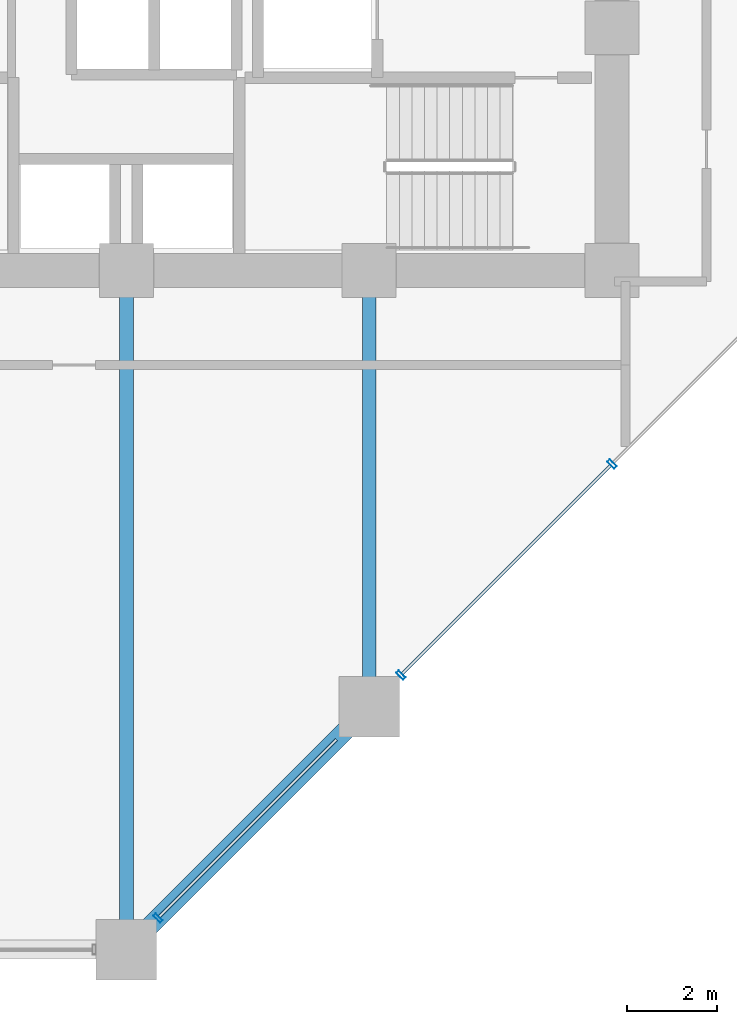
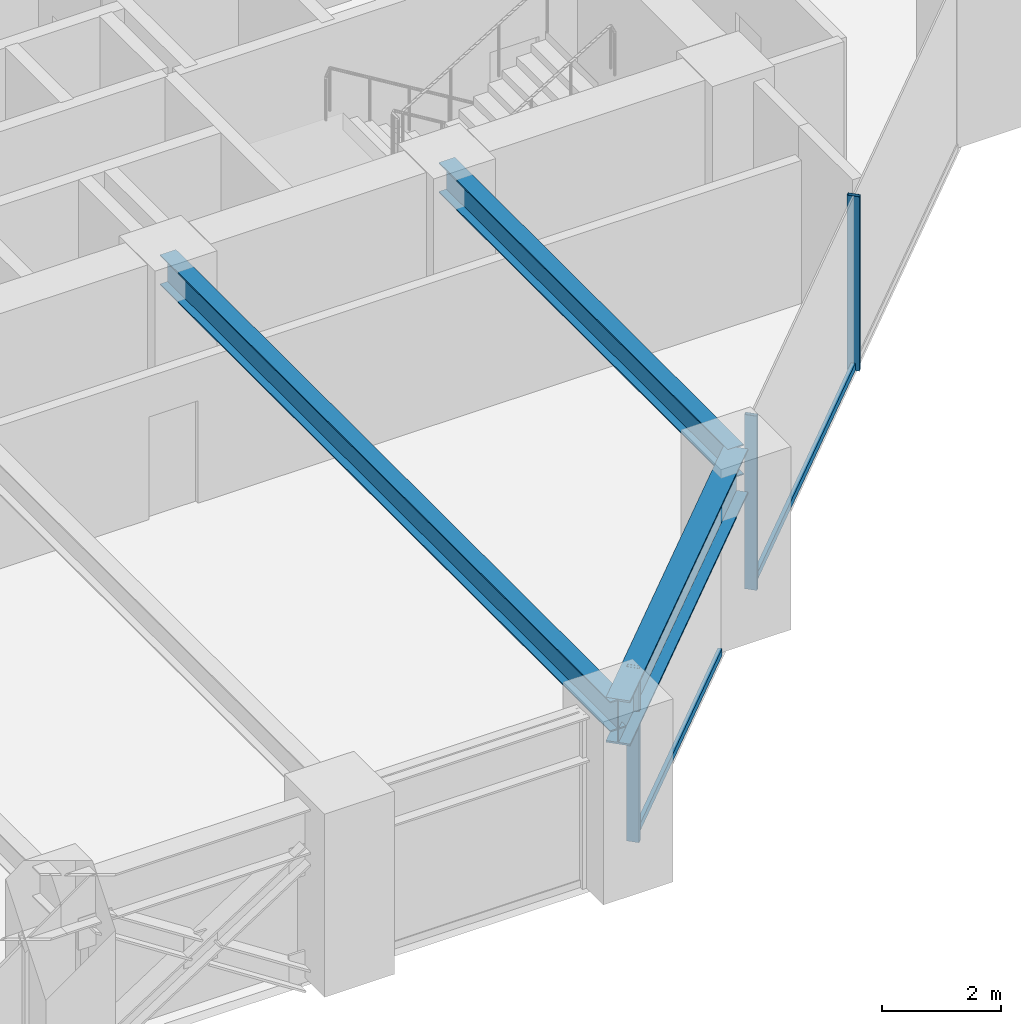
# One storey, part 7 of 25: 5 members, 3 beams, 1 element without a shape of its own.
"""IFC4 building model written with IfcOpenShell, lengths in metres."""

from ifc_helpers import new_model, si_unit, direction, frame, origin, origin_2d, place, context, subcontext, project, spatial, hollow_rectangle, i_section, extrude, material, layer, layer_set, material_profile, profile_set, type_object, element, aggregate, save


model = new_model("IFC4")

# Units and contexts
model_context = context("Model", 3, precision=1e-05, world=origin(), true_north=direction((0.0, 1.0)))
body_context = subcontext(model_context, "Body", "Model", "MODEL_VIEW")
ifc_project = project(units=[si_unit("LENGTHUNIT", "METRE"), si_unit("AREAUNIT", "SQUARE_METRE"), si_unit("VOLUMEUNIT", "CUBIC_METRE"), si_unit("PLANEANGLEUNIT", "RADIAN"), si_unit("MASSUNIT", "GRAM", prefix="KILO")], contexts=[model_context])

# Site, building, storey
site_placement = place(None, origin())
site = spatial("IfcSite", under=ifc_project, at=site_placement, CompositionType="ELEMENT")
building_placement = place(site_placement, origin())
building = spatial("IfcBuilding", under=site, at=building_placement, Name="Surkhivell Harbour Commons", CompositionType="ELEMENT")
storey_placement = place(building_placement, frame((0.0, 0.0, 33.75)))
storey = spatial("IfcBuildingStorey", under=building, at=storey_placement, Name="L08", CompositionType="ELEMENT", Elevation=33.75)

# Beams
ifc_material_1 = material(Name="Steel S355", Category="steel")
ifc_material_profile_1 = material_profile(ifc_material_1, i_section(OverallWidth=0.306884765625, OverallDepth=0.6201171875, WebThickness=0.01416015625, FlangeThickness=0.023681640625, at=origin_2d()), Name="UB610x305x179")
ifc_profile_set_1 = profile_set([ifc_material_profile_1], Name="Steel S355")
beam_type_1 = type_object("IfcBeamType", Name="BM-GRD-610A", PredefinedType="BEAM", material=ifc_profile_set_1)
beam_1_placement = place(storey_placement, frame((0.0, -25.89990234375, 3.260009765625), z_axis=(0.0, 1.0, 0.0), x_axis=(-1.0, 0.0, 0.0)))
element("IfcBeam", 1, at=beam_1_placement, inside=storey, type_object=beam_type_1, Name="L08 Floor Girder (0.0,-25.9)", PredefinedType="BEAM", context=body_context, shape_type="SweptSolid", body=[
    extrude(i_section(OverallWidth=0.306884765625, OverallDepth=0.6201171875, WebThickness=0.01416015625, FlangeThickness=0.023681640625, at=origin_2d()), origin(), (0.0, 0.0, 1.0), 15.099853515625),
])
beam_2_placement = place(storey_placement, frame((5.39990234375, -20.5, 3.260009765625), z_axis=(0.0, 1.0, 0.0), x_axis=(-1.0, 0.0, 0.0)))
element("IfcBeam", 2, at=beam_2_placement, inside=storey, type_object=beam_type_1, Name="L08 Floor Girder (5.4,-20.5)", PredefinedType="BEAM", context=body_context, shape_type="SweptSolid", body=[
    extrude(i_section(OverallWidth=0.306884765625, OverallDepth=0.6201171875, WebThickness=0.01416015625, FlangeThickness=0.023681640625, at=origin_2d()), origin(), (0.0, 0.0, 1.0), 9.699951171875),
])
ifc_material_2 = material(Name="Steel S460", Category="steel")
ifc_material_profile_2 = material_profile(ifc_material_2, i_section(OverallWidth=0.419921875, OverallDepth=0.9208984375, WebThickness=0.021484375, FlangeThickness=0.03662109375, at=origin_2d()), Name="UB914x419x388")
ifc_profile_set_2 = profile_set([ifc_material_profile_2], Name="Steel S460")
beam_type_2 = type_object("IfcBeamType", Name="BM-SPN-914A", PredefinedType="SPANDREL", material=ifc_profile_set_2)
beam_3_placement = place(storey_placement, frame((0.0, -25.89990234375, 3.109619140625), z_axis=(0.707106781187, 0.707106781187, 0.0), x_axis=(-0.707106781187, 0.707106781187, 0.0)))
element("IfcBeam", 3, at=beam_3_placement, inside=storey, type_object=beam_type_2, Name="L08 Tube Spandrel (-0.0,-25.9)", PredefinedType="SPANDREL", context=body_context, shape_type="SweptSolid", body=[
    extrude(i_section(OverallWidth=0.419921875, OverallDepth=0.9208984375, WebThickness=0.021484375, FlangeThickness=0.03662109375, at=origin_2d()), origin(), (0.0, 0.0, 1.0), 7.63671875),
])

# Curtain wall, members
ifc_material_3 = material(Name="Anodised pale-metal aluminium and insulated glazing", Category="aluminium")
ifc_layer = layer(ifc_material_3, 0.219970703125)
ifc_layer_set = layer_set([ifc_layer], Name="Anodised pale-metal aluminium and insulated glazing")
curtain_wall_type = type_object("IfcCurtainWallType", Name="CW-SYS-Z1", PredefinedType="NOTDEFINED", material=ifc_layer_set)
curtain_wall_placement = place(storey_placement, origin())
curtain_wall = element("IfcCurtainWall", 4, at=curtain_wall_placement, inside=storey, type_object=curtain_wall_type, Name="L08 Curtain Wall CW-L08-E01", PredefinedType="NOTDEFINED")
ifc_material_4 = material(Name="Anodised pale-metal aluminium alloy 6063-T6", Category="aluminium")
ifc_material_profile_3 = material_profile(ifc_material_4, hollow_rectangle(XDim=0.074951171875, YDim=0.219970703125, WallThickness=0.00390625, at=origin_2d()), Name="ALU-MULL-75x220")
ifc_profile_set_3 = profile_set([ifc_material_profile_3], Name="Anodised pale-metal aluminium alloy 6063-T6")
member_type_1 = type_object("IfcMemberType", Name="CWM-220", PredefinedType="MULLION", material=ifc_profile_set_3)
member_1_placement = place(storey_placement, frame((0.703369140625, -25.19677734375, 0.0), z_axis=(0.0, 0.0, 1.0), x_axis=(0.707106781187, 0.707106781187, 0.0)))
member_1 = element("IfcMember", 5, at=member_1_placement, type_object=member_type_1, Name="CW-Z1 mullion 1", PredefinedType="MULLION", context=body_context, shape_type="SweptSolid", body=[
    extrude(hollow_rectangle(XDim=0.074951171875, YDim=0.219970703125, WallThickness=0.00390625, at=origin_2d()), origin(), (0.0, 0.0, 1.0), 3.570068359375),
])
member_2_placement = place(storey_placement, frame((6.103271484375, -19.796630859375, 0.0), z_axis=(0.0, 0.0, 1.0), x_axis=(0.707106781187, 0.707106781187, 0.0)))
member_2 = element("IfcMember", 6, at=member_2_placement, type_object=member_type_1, Name="CW-Z1 mullion 2", PredefinedType="MULLION", context=body_context, shape_type="SweptSolid", body=[
    extrude(hollow_rectangle(XDim=0.074951171875, YDim=0.219970703125, WallThickness=0.00390625, at=origin_2d()), origin(), (0.0, 0.0, 1.0), 3.570068359375),
])
member_3_placement = place(storey_placement, frame((10.800048828125, -15.10009765625, 0.0), z_axis=(0.0, 0.0, 1.0), x_axis=(0.707106781187, 0.707106781187, 0.0)))
member_3 = element("IfcMember", 7, at=member_3_placement, type_object=member_type_1, Name="CW-Z1 mullion 3", PredefinedType="MULLION", context=body_context, shape_type="SweptSolid", body=[
    extrude(hollow_rectangle(XDim=0.074951171875, YDim=0.219970703125, WallThickness=0.00390625, at=origin_2d()), origin(), (0.0, 0.0, 1.0), 3.570068359375),
])
ifc_material_profile_4 = material_profile(ifc_material_4, hollow_rectangle(XDim=0.074951171875, YDim=0.14990234375, WallThickness=0.00341796875, at=origin_2d()), Name="ALU-TRAN-75x150")
ifc_profile_set_4 = profile_set([ifc_material_profile_4], Name="Anodised pale-metal aluminium alloy 6063-T6")
member_type_2 = type_object("IfcMemberType", Name="CWT-150", PredefinedType="USERDEFINED", material=ifc_profile_set_4)
member_4_placement = place(storey_placement, frame((0.729736328125, -25.170166015625, 0.074951171875), z_axis=(0.707106781187, 0.707106781187, 0.0), x_axis=(-0.707106781187, 0.707106781187, 0.0)))
member_4 = element("IfcMember", 8, at=member_4_placement, type_object=member_type_2, Name="CW-Z1 transom 1.1", ObjectType="TRANSOM", PredefinedType="USERDEFINED", context=body_context, shape_type="SweptSolid", body=[
    extrude(hollow_rectangle(XDim=0.074951171875, YDim=0.14990234375, WallThickness=0.00341796875, at=origin_2d()), origin(), (0.0, 0.0, 1.0), 5.572509765625),
])
member_5_placement = place(storey_placement, frame((6.1298828125, -19.770263671875, 0.074951171875), z_axis=(0.707088192925, 0.70712536896, 0.0), x_axis=(-0.70712536896, 0.707088192925, 0.0)))
member_5 = element("IfcMember", 9, at=member_5_placement, type_object=member_type_2, Name="CW-Z1 transom 2.1", ObjectType="TRANSOM", PredefinedType="USERDEFINED", context=body_context, shape_type="SweptSolid", body=[
    extrude(hollow_rectangle(XDim=0.074951171875, YDim=0.14990234375, WallThickness=0.00341796875, at=origin_2d()), origin(), (0.0, 0.0, 1.0), 6.567138671875),
])
aggregate(curtain_wall, [member_1, member_4, member_2, member_3, member_5])

save(model, "model.ifc")
